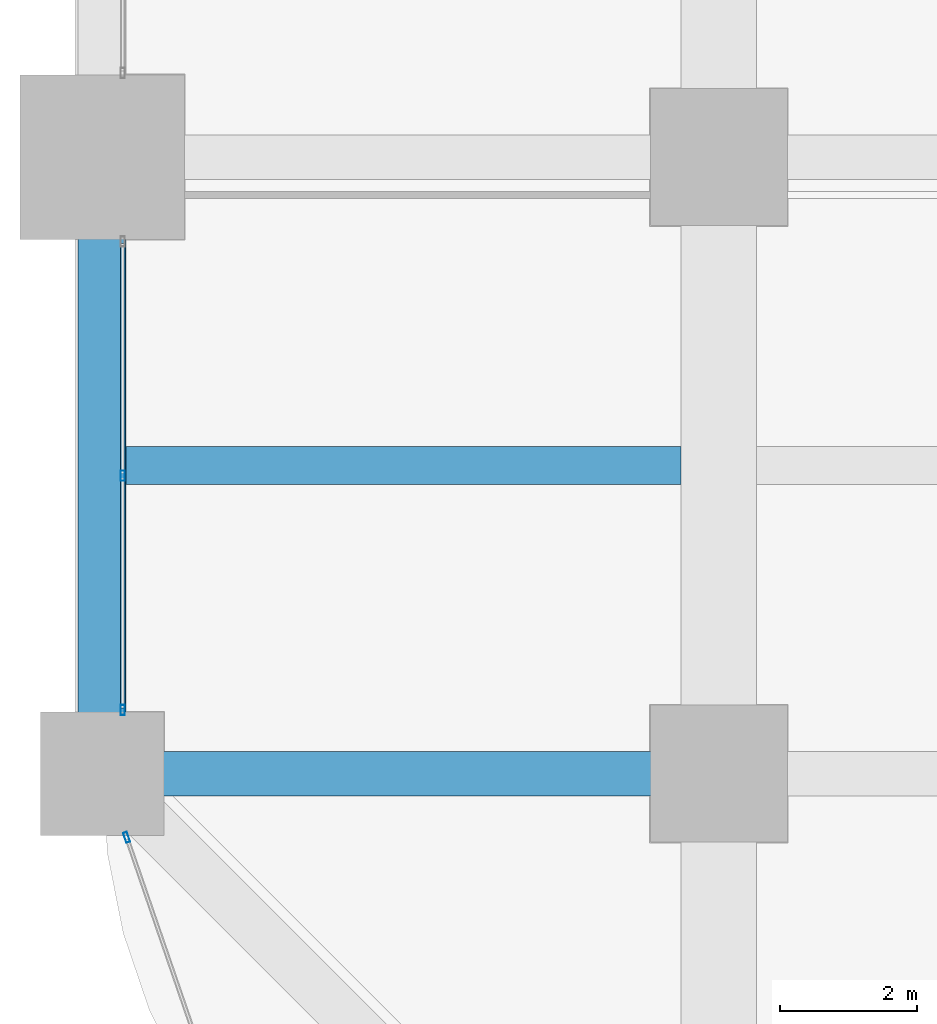
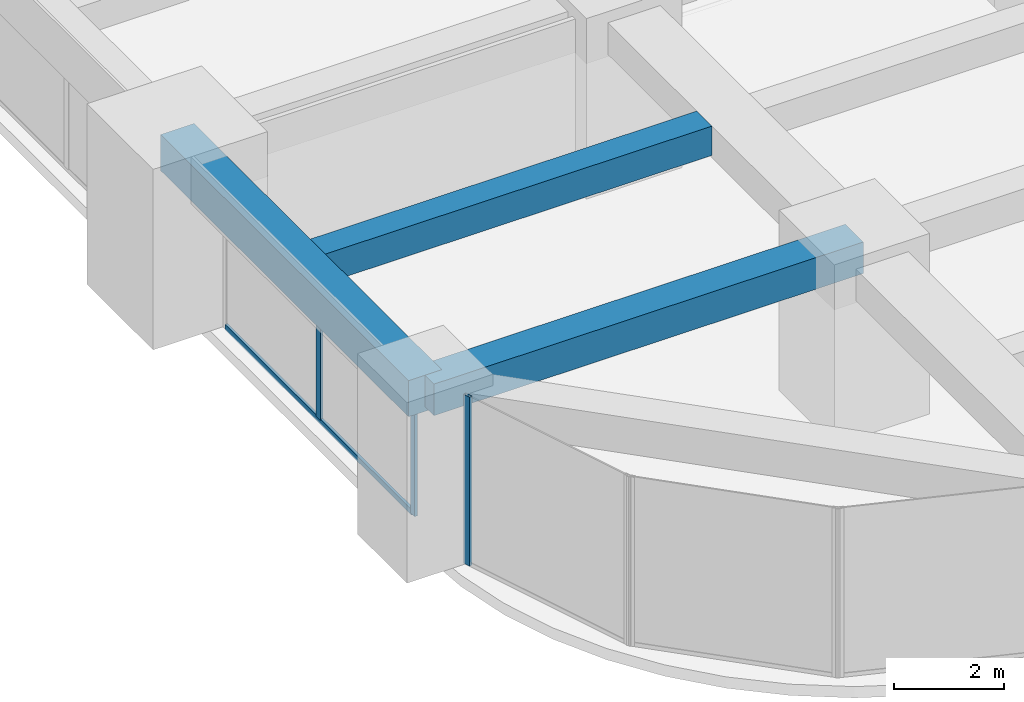
# One storey, part 4 of 39: 4 members, 3 beams, 2 elements without a shape of their own.
"""IFC4 building model written with IfcOpenShell, lengths in metres."""

from ifc_helpers import new_model, si_unit, direction, frame, origin, origin_2d, place, context, subcontext, project, spatial, rectangle, hollow_rectangle, extrude, material, material_profile, profile_set, type_object, element, aggregate, save


model = new_model("IFC4")

# Units and contexts
model_context = context("Model", 3, precision=1e-05, world=origin(), true_north=direction((0.0, 1.0)))
body_context = subcontext(model_context, "Body", "Model", "MODEL_VIEW")
ifc_project = project(units=[si_unit("LENGTHUNIT", "METRE"), si_unit("AREAUNIT", "SQUARE_METRE"), si_unit("VOLUMEUNIT", "CUBIC_METRE"), si_unit("PLANEANGLEUNIT", "RADIAN"), si_unit("MASSUNIT", "GRAM", prefix="KILO")], contexts=[model_context])

# Site, building, storey
site_placement = place(None, origin())
site = spatial("IfcSite", under=ifc_project, at=site_placement, CompositionType="ELEMENT")
building_placement = place(site_placement, origin())
building = spatial("IfcBuilding", under=site, at=building_placement, Name="Zorevar Civic Tower", CompositionType="ELEMENT")
storey_placement = place(building_placement, frame((0.0, 0.0, 117.0)))
storey = spatial("IfcBuildingStorey", under=building, at=storey_placement, Name="L28", CompositionType="ELEMENT", Elevation=117.0)

# Beams
ifc_material_1 = material(Name="Concrete C50/60", Category="concrete")
ifc_material_profile_1 = material_profile(ifc_material_1, rectangle(XDim=0.550048828125, YDim=0.64990234375, at=origin_2d()), Name="RC 550x650")
ifc_profile_set_1 = profile_set([ifc_material_profile_1], Name="Concrete C50/60")
beam_type_1 = type_object("IfcBeamType", Name="Beam RC 550x650", PredefinedType="BEAM", material=ifc_profile_set_1)
beam_1_placement = place(storey_placement, frame((0.35009765625, 13.5, 3.425048828125), z_axis=(1.0, 0.0, 0.0), x_axis=(0.0, 1.0, 0.0)))
element("IfcBeam", 1, at=beam_1_placement, inside=storey, type_object=beam_type_1, Name="Secondary beam L29", PredefinedType="BEAM", context=body_context, shape_type="SweptSolid", body=[
    extrude(rectangle(XDim=0.550048828125, YDim=0.64990234375, at=origin_2d()), origin(), (0.0, 0.0, 1.0), 8.099853515625),
])
ifc_material_2 = material(Name="Concrete C50/60", Category="concrete")
ifc_material_profile_2 = material_profile(ifc_material_2, rectangle(XDim=0.64990234375, YDim=0.699951171875, at=origin_2d()), Name="RC 650x700")
ifc_profile_set_2 = profile_set([ifc_material_profile_2], Name="Concrete C50/60")
beam_type_2 = type_object("IfcBeamType", Name="Beam RC 650x700", PredefinedType="BEAM", material=ifc_profile_set_2)
beam_2_placement = place(storey_placement, frame((0.0, 9.0, 3.39990234375), z_axis=(1.0, 0.0, 0.0), x_axis=(0.0, 1.0, 0.0)))
element("IfcBeam", 2, at=beam_2_placement, inside=storey, type_object=beam_type_2, Name="Girder L29", PredefinedType="BEAM", context=body_context, shape_type="SweptSolid", body=[
    extrude(rectangle(XDim=0.64990234375, YDim=0.699951171875, at=origin_2d()), origin(), (0.0, 0.0, 1.0), 9.0),
])

# Curtain wall, members
ifc_material_3 = material(Name="Dark grey solar-control glass in black aluminium frame", Category="aluminium")
curtain_wall_type = type_object("IfcCurtainWallType", Name="Curtain wall CW3 mid zone", PredefinedType="NOTDEFINED", material=ifc_material_3)
curtain_wall_1_placement = place(storey_placement, origin())
curtain_wall_1 = element("IfcCurtainWall", 3, at=curtain_wall_1_placement, inside=storey, type_object=curtain_wall_type, Name="CW3 L28", PredefinedType="NOTDEFINED")
ifc_material_4 = material(Name="Aluminium, black anodised", Category="aluminium")
ifc_material_profile_3 = material_profile(ifc_material_4, hollow_rectangle(XDim=0.06005859375, YDim=0.14990234375, WallThickness=0.00390625, at=origin_2d()), Name="AL 150x60x4")
ifc_profile_set_3 = profile_set([ifc_material_profile_3], Name="Aluminium, black anodised")
member_type_1 = type_object("IfcMemberType", Name="CW3 mullion AL 150x60x4", PredefinedType="MULLION", material=ifc_profile_set_3)
member_1_placement = place(storey_placement, frame((0.300048828125, 9.929931640625, 0.0), z_axis=(0.0, 0.0, 1.0), x_axis=(-1.0, 0.0, 0.0)))
member_1 = element("IfcMember", 4, at=member_1_placement, type_object=member_type_1, Name="CW3 mullion 1", PredefinedType="MULLION", context=body_context, shape_type="SweptSolid", body=[
    extrude(hollow_rectangle(XDim=0.06005859375, YDim=0.14990234375, WallThickness=0.00390625, at=origin_2d()), origin(), (0.0, 0.0, 1.0), 2.949951171875),
])
member_2_placement = place(storey_placement, frame((0.300048828125, 13.35009765625, 0.06005859375), z_axis=(0.0, 0.0, 1.0), x_axis=(-1.0, 0.0, 0.0)))
member_2 = element("IfcMember", 5, at=member_2_placement, type_object=member_type_1, Name="CW3 mullion 2", PredefinedType="MULLION", context=body_context, shape_type="SweptSolid", body=[
    extrude(hollow_rectangle(XDim=0.06005859375, YDim=0.14990234375, WallThickness=0.00390625, at=origin_2d()), origin(), (0.0, 0.0, 1.0), 2.889892578125),
])

# Curtain wall, member
curtain_wall_2_placement = place(storey_placement, origin())
curtain_wall_2 = element("IfcCurtainWall", 6, at=curtain_wall_2_placement, inside=storey, type_object=curtain_wall_type, Name="CW3 L28", PredefinedType="NOTDEFINED")
member_3_placement = place(storey_placement, frame((0.3564453125, 8.071533203125, 0.0), z_axis=(0.0, 0.0, 1.0), x_axis=(0.945755772794, 0.324878466857, 0.0)))
member_3 = element("IfcMember", 7, at=member_3_placement, type_object=member_type_1, Name="CW3 mullion 1", PredefinedType="MULLION", context=body_context, shape_type="SweptSolid", body=[
    extrude(hollow_rectangle(XDim=0.06005859375, YDim=0.14990234375, WallThickness=0.00390625, at=origin_2d()), origin(), (0.0, 0.0, 1.0), 3.75),
])
aggregate(curtain_wall_2, [member_3])

# Member
ifc_material_5 = material(Name="Aluminium, black anodised", Category="aluminium")
ifc_material_profile_4 = material_profile(ifc_material_5, hollow_rectangle(XDim=0.06005859375, YDim=0.1201171875, WallThickness=0.0029296875, at=origin_2d()), Name="AL 120x60x3")
ifc_profile_set_4 = profile_set([ifc_material_profile_4], Name="Aluminium, black anodised")
member_type_2 = type_object("IfcMemberType", Name="CW3 transom AL 120x60x3", PredefinedType="USERDEFINED", material=ifc_profile_set_4)
member_4_placement = place(storey_placement, frame((0.300048828125, 9.9599609375, 0.030029296875), z_axis=(0.0, 1.0, 0.0), x_axis=(-1.0, 0.0, 0.0)))
member_4 = element("IfcMember", 8, at=member_4_placement, type_object=member_type_2, Name="CW3 sill transom", ObjectType="TRANSOM", PredefinedType="USERDEFINED", context=body_context, shape_type="SweptSolid", body=[
    extrude(hollow_rectangle(XDim=0.06005859375, YDim=0.1201171875, WallThickness=0.0029296875, at=origin_2d()), origin(), (0.0, 0.0, 1.0), 6.780029296875),
])

aggregate(curtain_wall_1, [member_1, member_2, member_4])

# Beam
ifc_material_6 = material(Name="Concrete C50/60", Category="concrete")
ifc_material_profile_5 = material_profile(ifc_material_6, rectangle(XDim=0.699951171875, YDim=0.800048828125, at=origin_2d()), Name="RC 700x800")
ifc_profile_set_5 = profile_set([ifc_material_profile_5], Name="Concrete C50/60")
beam_type_3 = type_object("IfcBeamType", Name="Edge beam RC 700x800", PredefinedType="SPANDREL", material=ifc_profile_set_5)
beam_3_placement = place(storey_placement, frame((0.0, 9.0, 3.35009765625), z_axis=(0.0, 1.0, 0.0), x_axis=(-1.0, 0.0, 0.0)))
element("IfcBeam", 9, at=beam_3_placement, inside=storey, type_object=beam_type_3, Name="Edge beam L29", PredefinedType="SPANDREL", context=body_context, shape_type="SweptSolid", body=[
    extrude(rectangle(XDim=0.699951171875, YDim=0.800048828125, at=origin_2d()), origin(), (0.0, 0.0, 1.0), 9.0),
])

save(model, "model.ifc")
